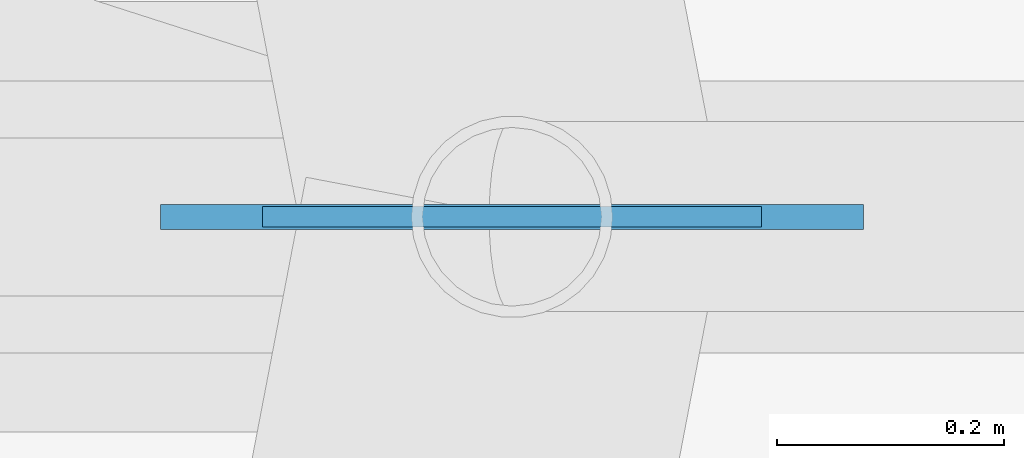
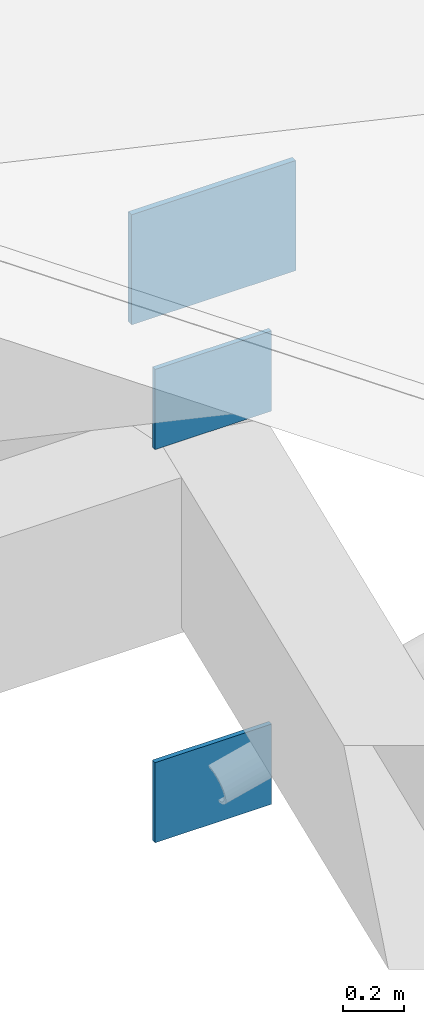
# One storey, part 51 of 66: 3 plates.
"""IFC4 building model written with IfcOpenShell, lengths in metres."""

from ifc_helpers import new_model, si_unit, direction, frame, origin, origin_2d, place, context, subcontext, project, spatial, rectangle, extrude, material, layer, layer_set, type_object, element, save


model = new_model("IFC4")

# Units and contexts
model_context = context("Model", 3, precision=1e-05, world=origin(), true_north=direction((0.0, 1.0)))
body_context = subcontext(model_context, "Body", "Model", "MODEL_VIEW")
ifc_project = project(units=[si_unit("LENGTHUNIT", "METRE"), si_unit("AREAUNIT", "SQUARE_METRE"), si_unit("VOLUMEUNIT", "CUBIC_METRE"), si_unit("PLANEANGLEUNIT", "RADIAN"), si_unit("MASSUNIT", "GRAM", prefix="KILO")], contexts=[model_context])

# Site, building, storey
site_placement = place(None, origin())
site = spatial("IfcSite", under=ifc_project, at=site_placement, CompositionType="ELEMENT")
building_placement = place(site_placement, origin())
building = spatial("IfcBuilding", under=site, at=building_placement, Name="Zornivar Specialist Clinic", CompositionType="ELEMENT")
storey_placement = place(building_placement, frame((0.0, 0.0, 16.0)))
storey = spatial("IfcBuildingStorey", under=building, at=storey_placement, Name="L04", CompositionType="ELEMENT", Elevation=16.0)

# Plates
ifc_material_1 = material(Name="Steel S355J2", Category="steel")
ifc_layer_1 = layer(ifc_material_1, 0.02197265625)
ifc_layer_set_1 = layer_set([ifc_layer_1], Name="Steel S355J2")
plate_type_1 = type_object("IfcPlateType", Name="PL-GUSSET-HEEL-22", PredefinedType="USERDEFINED", material=ifc_layer_set_1)
plate_placement = place(storey_placement, frame((125.60009765625, 57.60009765625, 0.2900390625), z_axis=(0.0, 0.0, 1.0), x_axis=(1.0, 0.0, 0.0)))
element("IfcPlate", 1, at=plate_placement, inside=storey, type_object=plate_type_1, Name="plate:V1:L04:heel:0", ObjectType="GUSSET PLATE", PredefinedType="USERDEFINED", context=body_context, shape_type="SweptSolid", body=[
    extrude(rectangle(XDim=0.6201171875, YDim=0.02197265625, at=origin_2d()), origin(), (0.0, 0.0, 1.0), 0.43994140625),
])
ifc_material_2 = material(Name="Steel S355J2", Category="steel")
ifc_layer_2 = layer(ifc_material_2, 0.01806640625)
ifc_layer_set_2 = layer_set([ifc_layer_2], Name="Steel S355J2")
plate_type_2 = type_object("IfcPlateType", Name="PL-GUSSET-V4-18", PredefinedType="USERDEFINED", material=ifc_layer_set_2)
for number, where, z_axis, x_axis, name in (
    (2, (125.60009765625, 57.60009765625, -0.240234375), (0.0, 0.0, 1.0), (1.0, 0.0, 0.0), "plate:bnode:L04:026"),
    (3, (125.60009765625, 57.60009765625, -1.81005859375), (0.0, 0.0, 1.0), (1.0, 0.0, 0.0), "plate:bnode:L04:027"),
):
    element("IfcPlate", number, at=place(storey_placement, frame(where, z_axis=z_axis, x_axis=x_axis)), inside=storey, type_object=plate_type_2, Name=name, ObjectType="GUSSET PLATE", PredefinedType="USERDEFINED", context=body_context, shape_type="SweptSolid", body=[
        extrude(rectangle(XDim=0.43994140625, YDim=0.01806640625, at=origin_2d()), origin(), (0.0, 0.0, 1.0), 0.320068359375),
    ])

save(model, "model.ifc")
